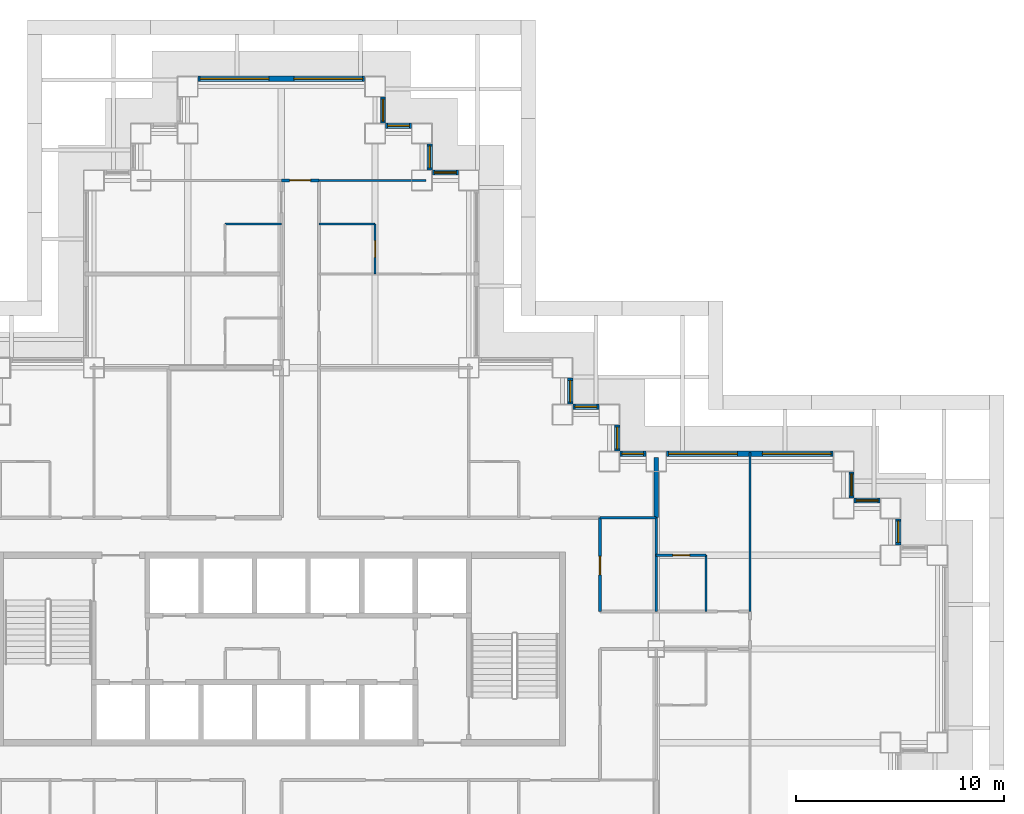
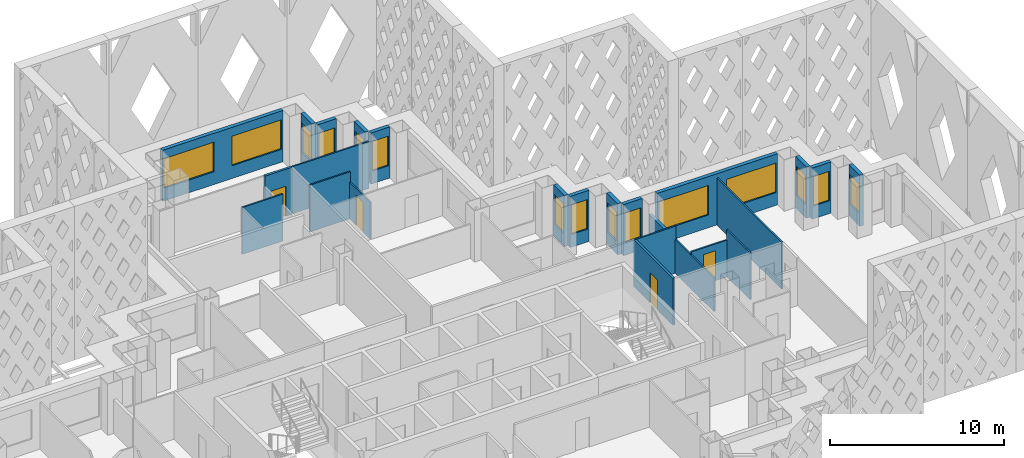
# One storey, part 9 of 19: 25 walls, 15 windows, 4 doors, 19 openings.
"""IFC4 building model written with IfcOpenShell, lengths in metres."""

from ifc_helpers import new_model, si_unit, direction, frame, frame_2d, origin, place, context, subcontext, project, spatial, rectangle, extrude, material, layer, layer_set, type_object, element, fill, save


model = new_model("IFC4")

# Units and contexts
model_context = context("Model", 3, precision=1e-05, world=origin(), true_north=direction((0.0, 1.0)))
body_context = subcontext(model_context, "Body", "Model", "MODEL_VIEW")
ifc_project = project(units=[si_unit("LENGTHUNIT", "METRE"), si_unit("AREAUNIT", "SQUARE_METRE"), si_unit("VOLUMEUNIT", "CUBIC_METRE"), si_unit("PLANEANGLEUNIT", "RADIAN"), si_unit("MASSUNIT", "GRAM", prefix="KILO")], contexts=[model_context])

# Site, building, storey
site_placement = place(None, origin())
site = spatial("IfcSite", under=ifc_project, at=site_placement, CompositionType="ELEMENT")
building_placement = place(site_placement, origin())
building = spatial("IfcBuilding", under=site, at=building_placement, Name="Caravel Reach Hotel and Residences", CompositionType="ELEMENT")
storey_placement = place(building_placement, frame((0.0, 0.0, 63.60009765625)))
storey = spatial("IfcBuildingStorey", under=building, at=storey_placement, Name="L14", CompositionType="ELEMENT", Elevation=63.60009765625)

# Wall, opening, door
ifc_material_1 = material(Name="Gypsum board on steel stud", Category="steel")
ifc_layer_1 = layer(ifc_material_1, 0.10009765625)
ifc_layer_set_1 = layer_set([ifc_layer_1], Name="Bathroom pod wall 100 mm")
wall_type_1 = type_object("IfcWallType", Name="Bathroom pod wall 100 mm", PredefinedType="PARTITIONING", material=ifc_layer_set_1)
wall_1_placement = place(storey_placement, frame((49.5, 31.5, 0.0), z_axis=(0.0, 0.0, 1.0), x_axis=(1.0, 0.0, 0.0)))
wall_1 = element("IfcWall", 1, at=wall_1_placement, inside=storey, type_object=wall_type_1, Name="L14 wall w080", PredefinedType="PARTITIONING", context=body_context, shape_type="SweptSolid", body=[
    extrude(rectangle(XDim=2.39990234375, YDim=0.10009765625, at=frame_2d((1.199951171875, 0.0))), origin(), (0.0, 0.0, 1.0), 2.579833984375),
])
opening_1_placement = place(wall_1_placement, frame((0.800048828125, 0.0, 0.0)))
opening_1 = element("IfcOpeningElement", 2, at=opening_1_placement, cuts=wall_1, Name="Opening D14-022", PredefinedType="OPENING", context=body_context, shape_type="SweptSolid", body=[
    extrude(rectangle(XDim=0.800048828125, YDim=2.10009765625, at=frame_2d((0.39990234375, 1.050048828125))), frame((0.0, 0.06005859375, 0.0), z_axis=(0.0, -1.0, 0.0), x_axis=(1.0, 0.0, 0.0)), (0.0, 0.0, 1.0), 0.1201171875),
])
ifc_material_2 = material(Name="Timber and steel door leaf", Category="steel")
door_type_1 = type_object("IfcDoorType", Name="Bathroom door 800 x 2100", OperationType="SINGLE_SWING_LEFT", PredefinedType="DOOR", material=ifc_material_2)
door_1_placement = place(opening_1_placement, origin())
door_1 = element("IfcDoor", 3, at=door_1_placement, inside=storey, type_object=door_type_1, Name="door D14-022", OperationType="SINGLE_SWING_RIGHT", OverallHeight=2.10009765625, OverallWidth=0.800048828125, PredefinedType="DOOR", context=body_context, shape_type="SweptSolid", body=[
    extrude(rectangle(XDim=0.800048828125, YDim=2.10009765625, at=frame_2d((0.39990234375, 1.050048828125))), frame((0.0, 0.02490234375, 0.0), z_axis=(0.0, -1.0, 0.0), x_axis=(1.0, 0.0, 0.0)), (0.0, 0.0, 1.0), 0.050048828125),
])
fill(opening_1, door_1)

# Walls
for number, where, z_axis, x_axis, name in (
    (4, (28.800048828125, 47.39990234375, 0.0), (0.0, 0.0, 1.0), (1.0, 0.0, 0.0), "L14 wall w084"),
    (5, (33.300048828125, 47.39990234375, 0.0), (0.0, 0.0, 1.0), (1.0, 0.0, 0.0), "L14 wall w085"),
):
    element("IfcWall", number, at=place(storey_placement, frame(where, z_axis=z_axis, x_axis=x_axis)), inside=storey, type_object=wall_type_1, Name=name, PredefinedType="PARTITIONING", context=body_context, shape_type="SweptSolid", body=[
        extrude(rectangle(XDim=2.699951171875, YDim=0.10009765625, at=frame_2d((1.35009765625, 0.0))), origin(), (0.0, 0.0, 1.0), 3.2998046875),
    ])

# Wall, opening, door
wall_2_placement = place(storey_placement, frame((36.0, 45.0, 0.0), z_axis=(0.0, 0.0, 1.0), x_axis=(0.0, 1.0, 0.0)))
wall_2 = element("IfcWall", 6, at=wall_2_placement, inside=storey, type_object=wall_type_1, Name="L14 wall w100", PredefinedType="PARTITIONING", context=body_context, shape_type="SweptSolid", body=[
    extrude(rectangle(XDim=2.39990234375, YDim=0.10009765625, at=frame_2d((1.199951171875, 0.0))), origin(), (0.0, 0.0, 1.0), 2.579833984375),
])
opening_2_placement = place(wall_2_placement, frame((0.800048828125, 0.0, 0.0)))
opening_2 = element("IfcOpeningElement", 7, at=opening_2_placement, cuts=wall_2, Name="Opening D14-029", PredefinedType="OPENING", context=body_context, shape_type="SweptSolid", body=[
    extrude(rectangle(XDim=0.800048828125, YDim=2.10009765625, at=frame_2d((0.39990234375, 1.050048828125))), frame((0.0, 0.06005859375, 0.0), z_axis=(0.0, -1.0, 0.0), x_axis=(1.0, 0.0, 0.0)), (0.0, 0.0, 1.0), 0.1201171875),
])
door_2_placement = place(opening_2_placement, origin())
door_2 = element("IfcDoor", 8, at=door_2_placement, inside=storey, type_object=door_type_1, Name="door D14-029", OperationType="SINGLE_SWING_LEFT", OverallHeight=2.10009765625, OverallWidth=0.800048828125, PredefinedType="DOOR", context=body_context, shape_type="SweptSolid", body=[
    extrude(rectangle(XDim=0.800048828125, YDim=2.10009765625, at=frame_2d((0.39990234375, 1.050048828125))), frame((0.0, 0.02490234375, 0.0), z_axis=(0.0, -1.0, 0.0), x_axis=(1.0, 0.0, 0.0)), (0.0, 0.0, 1.0), 0.050048828125),
])
fill(opening_2, door_2)

# Wall
wall_3_placement = place(storey_placement, frame((51.89990234375, 28.800048828125, 0.0), z_axis=(0.0, 0.0, 1.0), x_axis=(0.0, 1.0, 0.0)))
element("IfcWall", 9, at=wall_3_placement, inside=storey, type_object=wall_type_1, Name="L14 wall w103", PredefinedType="PARTITIONING", context=body_context, shape_type="SweptSolid", body=[
    extrude(rectangle(XDim=2.699951171875, YDim=0.10009765625, at=frame_2d((1.35009765625, 0.0))), origin(), (0.0, 0.0, 1.0), 3.2998046875),
])

# Wall, opening, door
ifc_material_3 = material(Name="Gypsum board on steel stud, fire-rated", Category="steel")
ifc_layer_2 = layer(ifc_material_3, 0.14990234375)
ifc_layer_set_2 = layer_set([ifc_layer_2], Name="Corridor wall 150 mm EI 60")
wall_type_2 = type_object("IfcWallType", Name="Corridor wall 150 mm EI 60", PredefinedType="PARTITIONING", material=ifc_layer_set_2)
wall_4_placement = place(storey_placement, frame((31.5, 49.5, 0.0), z_axis=(0.0, 0.0, 1.0), x_axis=(1.0, 0.0, 0.0)))
wall_4 = element("IfcWall", 10, at=wall_4_placement, inside=storey, type_object=wall_type_2, Name="L14 wall w020", PredefinedType="PARTITIONING", context=body_context, shape_type="SweptSolid", body=[
    extrude(rectangle(XDim=1.800048828125, YDim=0.14990234375, at=frame_2d((0.89990234375, 0.0))), origin(), (0.0, 0.0, 1.0), 3.2998046875),
])
opening_3_placement = place(wall_4_placement, frame((0.39990234375, 0.0, 0.0)))
opening_3 = element("IfcOpeningElement", 11, at=opening_3_placement, cuts=wall_4, Name="Opening D14-039", PredefinedType="OPENING", context=body_context, shape_type="SweptSolid", body=[
    extrude(rectangle(XDim=1.0, YDim=2.10009765625, at=frame_2d((0.5, 1.050048828125))), frame((0.0, 0.0849609375, 0.0), z_axis=(0.0, -1.0, 0.0), x_axis=(1.0, 0.0, 0.0)), (0.0, 0.0, 1.0), 0.169921875),
])
ifc_material_4 = material(Name="Steel fire door leaf", Category="steel")
door_type_2 = type_object("IfcDoorType", Name="Guest room door 1000 x 2100 EI 30", OperationType="SINGLE_SWING_LEFT", PredefinedType="DOOR", material=ifc_material_4)
door_3_placement = place(opening_3_placement, origin())
door_3 = element("IfcDoor", 12, at=door_3_placement, inside=storey, type_object=door_type_2, Name="door D14-039", OperationType="SINGLE_SWING_LEFT", OverallHeight=2.10009765625, OverallWidth=1.0, PredefinedType="DOOR", context=body_context, shape_type="SweptSolid", body=[
    extrude(rectangle(XDim=1.0, YDim=2.10009765625, at=frame_2d((0.5, 1.050048828125))), frame((0.0, 0.02490234375, 0.0), z_axis=(0.0, -1.0, 0.0), x_axis=(1.0, 0.0, 0.0)), (0.0, 0.0, 1.0), 0.050048828125),
])
fill(opening_3, door_3)

wall_5_placement = place(storey_placement, frame((46.800048828125, 28.800048828125, 0.0), z_axis=(0.0, 0.0, 1.0), x_axis=(0.0, 1.0, 0.0)))
wall_5 = element("IfcWall", 13, at=wall_5_placement, inside=storey, type_object=wall_type_2, Name="L14 wall w034", PredefinedType="PARTITIONING", context=body_context, shape_type="SweptSolid", body=[
    extrude(rectangle(XDim=4.5, YDim=0.14990234375, at=frame_2d((2.25, 0.0))), origin(), (0.0, 0.0, 1.0), 3.2998046875),
])
opening_4_placement = place(wall_5_placement, frame((1.75, 0.0, 0.0)))
opening_4 = element("IfcOpeningElement", 14, at=opening_4_placement, cuts=wall_5, Name="Opening D14-060", PredefinedType="OPENING", context=body_context, shape_type="SweptSolid", body=[
    extrude(rectangle(XDim=0.89990234375, YDim=2.10009765625, at=frame_2d((0.449951171875, 1.050048828125))), frame((0.0, 0.0849609375, 0.0), z_axis=(0.0, -1.0, 0.0), x_axis=(1.0, 0.0, 0.0)), (0.0, 0.0, 1.0), 0.169921875),
])
ifc_material_5 = material(Name="Timber and steel door leaf", Category="steel")
door_type_3 = type_object("IfcDoorType", Name="Door 900 x 2100 timber", OperationType="SINGLE_SWING_LEFT", PredefinedType="DOOR", material=ifc_material_5)
door_4_placement = place(opening_4_placement, origin())
door_4 = element("IfcDoor", 15, at=door_4_placement, inside=storey, type_object=door_type_3, Name="door D14-060", OperationType="SINGLE_SWING_RIGHT", OverallHeight=2.10009765625, OverallWidth=0.89990234375, PredefinedType="DOOR", context=body_context, shape_type="SweptSolid", body=[
    extrude(rectangle(XDim=0.89990234375, YDim=2.10009765625, at=frame_2d((0.449951171875, 1.050048828125))), frame((0.0, 0.02490234375, 0.0), z_axis=(0.0, -1.0, 0.0), x_axis=(1.0, 0.0, 0.0)), (0.0, 0.0, 1.0), 0.050048828125),
])
fill(opening_4, door_4)

# Wall, opening, window
ifc_material_6 = material(Name="Insulated rainscreen wall, aluminium cladding", Category="aluminium")
ifc_layer_3 = layer(ifc_material_6, 0.25)
ifc_layer_set_3 = layer_set([ifc_layer_3], Name="EW1 Tower rainscreen wall")
wall_type_3 = type_object("IfcWallType", Name="EW1 Tower rainscreen wall", PredefinedType="SOLIDWALL", material=ifc_layer_set_3)
wall_6_placement = place(storey_placement, frame((61.125, 32.0, 0.0), z_axis=(0.0, 0.0, 1.0), x_axis=(0.0, 1.0, 0.0)))
wall_6 = element("IfcWall", 16, at=wall_6_placement, inside=storey, type_object=wall_type_3, Name="External wall L14 E22.1", PredefinedType="SOLIDWALL", context=body_context, shape_type="SweptSolid", body=[
    extrude(rectangle(XDim=1.25, YDim=0.25, at=frame_2d((0.625, 0.0))), origin(), (0.0, 0.0, 1.0), 3.599853515625),
])
opening_5_placement = place(wall_6_placement, frame((0.10009765625, 0.0, 0.89990234375)))
opening_5 = element("IfcOpeningElement", 17, at=opening_5_placement, cuts=wall_6, Name="Opening WN3", PredefinedType="OPENING", context=body_context, shape_type="SweptSolid", body=[
    extrude(rectangle(XDim=1.050048828125, YDim=2.080078125, at=frame_2d((0.52490234375, 1.0400390625))), frame((0.0, 0.135009765625, 0.0), z_axis=(0.0, -1.0, 0.0), x_axis=(1.0, 0.0, 0.0)), (0.0, 0.0, 1.0), 0.27001953125),
])
ifc_material_7 = material(Name="Dark low-e glazing in black aluminium frame", Category="aluminium")
window_type_1 = type_object("IfcWindowType", Name="Hotel suite corner window 1050 x 2080", PartitioningType="SINGLE_PANEL", PredefinedType="WINDOW", material=ifc_material_7)
window_1_placement = place(opening_5_placement, origin())
window_1 = element("IfcWindow", 18, at=window_1_placement, inside=storey, type_object=window_type_1, Name="Window L14 E22.1.1", OverallHeight=2.080078125, OverallWidth=1.050048828125, PartitioningType="SINGLE_PANEL", PredefinedType="WINDOW", context=body_context, shape_type="SweptSolid", body=[
    extrude(rectangle(XDim=1.050048828125, YDim=2.080078125, at=frame_2d((0.52490234375, 1.0400390625))), frame((0.0, 0.030029296875, 0.0), z_axis=(0.0, -1.0, 0.0), x_axis=(1.0, 0.0, 0.0)), (0.0, 0.0, 1.0), 0.06005859375),
])
fill(opening_5, window_1)

wall_7_placement = place(storey_placement, frame((60.25, 34.125, 0.0), z_axis=(0.0, 0.0, 1.0), x_axis=(-1.0, 0.0, 0.0)))
wall_7 = element("IfcWall", 19, at=wall_7_placement, inside=storey, type_object=wall_type_3, Name="External wall L14 N23.1", PredefinedType="SOLIDWALL", context=body_context, shape_type="SweptSolid", body=[
    extrude(rectangle(XDim=1.25, YDim=0.25, at=frame_2d((0.625, 0.0))), origin(), (0.0, 0.0, 1.0), 3.599853515625),
])
opening_6_placement = place(wall_7_placement, frame((0.10009765625, 0.0, 0.89990234375)))
opening_6 = element("IfcOpeningElement", 20, at=opening_6_placement, cuts=wall_7, Name="Opening WN3", PredefinedType="OPENING", context=body_context, shape_type="SweptSolid", body=[
    extrude(rectangle(XDim=1.050048828125, YDim=2.080078125, at=frame_2d((0.52490234375, 1.0400390625))), frame((0.0, 0.135009765625, 0.0), z_axis=(0.0, -1.0, 0.0), x_axis=(1.0, 0.0, 0.0)), (0.0, 0.0, 1.0), 0.27001953125),
])
window_2_placement = place(opening_6_placement, origin())
window_2 = element("IfcWindow", 21, at=window_2_placement, inside=storey, type_object=window_type_1, Name="Window L14 N23.1.1", OverallHeight=2.080078125, OverallWidth=1.050048828125, PartitioningType="SINGLE_PANEL", PredefinedType="WINDOW", context=body_context, shape_type="SweptSolid", body=[
    extrude(rectangle(XDim=1.050048828125, YDim=2.080078125, at=frame_2d((0.52490234375, 1.0400390625))), frame((0.0, 0.030029296875, 0.0), z_axis=(0.0, -1.0, 0.0), x_axis=(1.0, 0.0, 0.0)), (0.0, 0.0, 1.0), 0.06005859375),
])
fill(opening_6, window_2)

wall_8_placement = place(storey_placement, frame((58.875, 34.25, 0.0), z_axis=(0.0, 0.0, 1.0), x_axis=(0.0, 1.0, 0.0)))
wall_8 = element("IfcWall", 22, at=wall_8_placement, inside=storey, type_object=wall_type_3, Name="External wall L14 E24.1", PredefinedType="SOLIDWALL", context=body_context, shape_type="SweptSolid", body=[
    extrude(rectangle(XDim=1.25, YDim=0.25, at=frame_2d((0.625, 0.0))), origin(), (0.0, 0.0, 1.0), 3.599853515625),
])
opening_7_placement = place(wall_8_placement, frame((0.10009765625, 0.0, 0.89990234375)))
opening_7 = element("IfcOpeningElement", 23, at=opening_7_placement, cuts=wall_8, Name="Opening WN3", PredefinedType="OPENING", context=body_context, shape_type="SweptSolid", body=[
    extrude(rectangle(XDim=1.050048828125, YDim=2.080078125, at=frame_2d((0.52490234375, 1.0400390625))), frame((0.0, 0.135009765625, 0.0), z_axis=(0.0, -1.0, 0.0), x_axis=(1.0, 0.0, 0.0)), (0.0, 0.0, 1.0), 0.27001953125),
])
window_3_placement = place(opening_7_placement, origin())
window_3 = element("IfcWindow", 24, at=window_3_placement, inside=storey, type_object=window_type_1, Name="Window L14 E24.1.1", OverallHeight=2.080078125, OverallWidth=1.050048828125, PartitioningType="SINGLE_PANEL", PredefinedType="WINDOW", context=body_context, shape_type="SweptSolid", body=[
    extrude(rectangle(XDim=1.050048828125, YDim=2.080078125, at=frame_2d((0.52490234375, 1.0400390625))), frame((0.0, 0.030029296875, 0.0), z_axis=(0.0, -1.0, 0.0), x_axis=(1.0, 0.0, 0.0)), (0.0, 0.0, 1.0), 0.06005859375),
])
fill(opening_7, window_3)

# Wall, openings, windows
wall_9_placement = place(storey_placement, frame((58.0, 36.375, 0.0), z_axis=(0.0, 0.0, 1.0), x_axis=(-1.0, 0.0, 0.0)))
wall_9 = element("IfcWall", 25, at=wall_9_placement, inside=storey, type_object=wall_type_3, Name="External wall L14 N25.1", PredefinedType="SOLIDWALL", context=body_context, shape_type="SweptSolid", body=[
    extrude(rectangle(XDim=8.0, YDim=0.25, at=frame_2d((4.0, 0.0))), origin(), (0.0, 0.0, 1.0), 3.599853515625),
])
opening_8_placement = place(wall_9_placement, frame((0.10009765625, 0.0, 0.89990234375)))
opening_8 = element("IfcOpeningElement", 26, at=opening_8_placement, cuts=wall_9, Name="Opening WN4", PredefinedType="OPENING", context=body_context, shape_type="SweptSolid", body=[
    extrude(rectangle(XDim=3.300048828125, YDim=2.080078125, at=frame_2d((1.64990234375, 1.0400390625))), frame((0.0, 0.135009765625, 0.0), z_axis=(0.0, -1.0, 0.0), x_axis=(1.0, 0.0, 0.0)), (0.0, 0.0, 1.0), 0.27001953125),
])
opening_9_placement = place(wall_9_placement, frame((4.60009765625, 0.0, 0.89990234375)))
opening_9 = element("IfcOpeningElement", 27, at=opening_9_placement, cuts=wall_9, Name="Opening WN4", PredefinedType="OPENING", context=body_context, shape_type="SweptSolid", body=[
    extrude(rectangle(XDim=3.300048828125, YDim=2.080078125, at=frame_2d((1.64990234375, 1.0400390625))), frame((0.0, 0.135009765625, 0.0), z_axis=(0.0, -1.0, 0.0), x_axis=(1.0, 0.0, 0.0)), (0.0, 0.0, 1.0), 0.27001953125),
])
ifc_material_8 = material(Name="Dark low-e glazing in black aluminium frame", Category="aluminium")
window_type_2 = type_object("IfcWindowType", Name="Hotel guest room window 3300 x 2080", PartitioningType="SINGLE_PANEL", PredefinedType="WINDOW", material=ifc_material_8)
window_4_placement = place(opening_8_placement, origin())
window_4 = element("IfcWindow", 28, at=window_4_placement, inside=storey, type_object=window_type_2, Name="Window L14 N25.1.1", OverallHeight=2.080078125, OverallWidth=3.300048828125, PartitioningType="SINGLE_PANEL", PredefinedType="WINDOW", context=body_context, shape_type="SweptSolid", body=[
    extrude(rectangle(XDim=3.300048828125, YDim=2.080078125, at=frame_2d((1.64990234375, 1.0400390625))), frame((0.0, 0.030029296875, 0.0), z_axis=(0.0, -1.0, 0.0), x_axis=(1.0, 0.0, 0.0)), (0.0, 0.0, 1.0), 0.06005859375),
])
fill(opening_8, window_4)
window_5_placement = place(opening_9_placement, origin())
window_5 = element("IfcWindow", 29, at=window_5_placement, inside=storey, type_object=window_type_2, Name="Window L14 N25.1.2", OverallHeight=2.080078125, OverallWidth=3.300048828125, PartitioningType="SINGLE_PANEL", PredefinedType="WINDOW", context=body_context, shape_type="SweptSolid", body=[
    extrude(rectangle(XDim=3.300048828125, YDim=2.080078125, at=frame_2d((1.64990234375, 1.0400390625))), frame((0.0, 0.030029296875, 0.0), z_axis=(0.0, -1.0, 0.0), x_axis=(1.0, 0.0, 0.0)), (0.0, 0.0, 1.0), 0.06005859375),
])
fill(opening_9, window_5)

# Wall, opening, window
wall_10_placement = place(storey_placement, frame((49.0, 36.375, 0.0), z_axis=(0.0, 0.0, 1.0), x_axis=(-1.0, 0.0, 0.0)))
wall_10 = element("IfcWall", 30, at=wall_10_placement, inside=storey, type_object=wall_type_3, Name="External wall L14 N25.2", PredefinedType="SOLIDWALL", context=body_context, shape_type="SweptSolid", body=[
    extrude(rectangle(XDim=1.25, YDim=0.25, at=frame_2d((0.625, 0.0))), origin(), (0.0, 0.0, 1.0), 3.599853515625),
])
opening_10_placement = place(wall_10_placement, frame((0.10009765625, 0.0, 0.89990234375)))
opening_10 = element("IfcOpeningElement", 31, at=opening_10_placement, cuts=wall_10, Name="Opening WN3", PredefinedType="OPENING", context=body_context, shape_type="SweptSolid", body=[
    extrude(rectangle(XDim=1.050048828125, YDim=2.080078125, at=frame_2d((0.52490234375, 1.0400390625))), frame((0.0, 0.135009765625, 0.0), z_axis=(0.0, -1.0, 0.0), x_axis=(1.0, 0.0, 0.0)), (0.0, 0.0, 1.0), 0.27001953125),
])
window_6_placement = place(opening_10_placement, origin())
window_6 = element("IfcWindow", 32, at=window_6_placement, inside=storey, type_object=window_type_1, Name="Window L14 N25.2.1", OverallHeight=2.080078125, OverallWidth=1.050048828125, PartitioningType="SINGLE_PANEL", PredefinedType="WINDOW", context=body_context, shape_type="SweptSolid", body=[
    extrude(rectangle(XDim=1.050048828125, YDim=2.080078125, at=frame_2d((0.52490234375, 1.0400390625))), frame((0.0, 0.030029296875, 0.0), z_axis=(0.0, -1.0, 0.0), x_axis=(1.0, 0.0, 0.0)), (0.0, 0.0, 1.0), 0.06005859375),
])
fill(opening_10, window_6)

wall_11_placement = place(storey_placement, frame((47.625, 36.5, 0.0), z_axis=(0.0, 0.0, 1.0), x_axis=(0.0, 1.0, 0.0)))
wall_11 = element("IfcWall", 33, at=wall_11_placement, inside=storey, type_object=wall_type_3, Name="External wall L14 E26.1", PredefinedType="SOLIDWALL", context=body_context, shape_type="SweptSolid", body=[
    extrude(rectangle(XDim=1.25, YDim=0.25, at=frame_2d((0.625, 0.0))), origin(), (0.0, 0.0, 1.0), 3.599853515625),
])
opening_11_placement = place(wall_11_placement, frame((0.10009765625, 0.0, 0.89990234375)))
opening_11 = element("IfcOpeningElement", 34, at=opening_11_placement, cuts=wall_11, Name="Opening WN3", PredefinedType="OPENING", context=body_context, shape_type="SweptSolid", body=[
    extrude(rectangle(XDim=1.050048828125, YDim=2.080078125, at=frame_2d((0.52490234375, 1.0400390625))), frame((0.0, 0.135009765625, 0.0), z_axis=(0.0, -1.0, 0.0), x_axis=(1.0, 0.0, 0.0)), (0.0, 0.0, 1.0), 0.27001953125),
])
window_7_placement = place(opening_11_placement, origin())
window_7 = element("IfcWindow", 35, at=window_7_placement, inside=storey, type_object=window_type_1, Name="Window L14 E26.1.1", OverallHeight=2.080078125, OverallWidth=1.050048828125, PartitioningType="SINGLE_PANEL", PredefinedType="WINDOW", context=body_context, shape_type="SweptSolid", body=[
    extrude(rectangle(XDim=1.050048828125, YDim=2.080078125, at=frame_2d((0.52490234375, 1.0400390625))), frame((0.0, 0.030029296875, 0.0), z_axis=(0.0, -1.0, 0.0), x_axis=(1.0, 0.0, 0.0)), (0.0, 0.0, 1.0), 0.06005859375),
])
fill(opening_11, window_7)

wall_12_placement = place(storey_placement, frame((46.75, 38.625, 0.0), z_axis=(0.0, 0.0, 1.0), x_axis=(-1.0, 0.0, 0.0)))
wall_12 = element("IfcWall", 36, at=wall_12_placement, inside=storey, type_object=wall_type_3, Name="External wall L14 N27.1", PredefinedType="SOLIDWALL", context=body_context, shape_type="SweptSolid", body=[
    extrude(rectangle(XDim=1.25, YDim=0.25, at=frame_2d((0.625, 0.0))), origin(), (0.0, 0.0, 1.0), 3.599853515625),
])
opening_12_placement = place(wall_12_placement, frame((0.10009765625, 0.0, 0.89990234375)))
opening_12 = element("IfcOpeningElement", 37, at=opening_12_placement, cuts=wall_12, Name="Opening WN3", PredefinedType="OPENING", context=body_context, shape_type="SweptSolid", body=[
    extrude(rectangle(XDim=1.050048828125, YDim=2.080078125, at=frame_2d((0.52490234375, 1.0400390625))), frame((0.0, 0.135009765625, 0.0), z_axis=(0.0, -1.0, 0.0), x_axis=(1.0, 0.0, 0.0)), (0.0, 0.0, 1.0), 0.27001953125),
])
window_8_placement = place(opening_12_placement, origin())
window_8 = element("IfcWindow", 38, at=window_8_placement, inside=storey, type_object=window_type_1, Name="Window L14 N27.1.1", OverallHeight=2.080078125, OverallWidth=1.050048828125, PartitioningType="SINGLE_PANEL", PredefinedType="WINDOW", context=body_context, shape_type="SweptSolid", body=[
    extrude(rectangle(XDim=1.050048828125, YDim=2.080078125, at=frame_2d((0.52490234375, 1.0400390625))), frame((0.0, 0.030029296875, 0.0), z_axis=(0.0, -1.0, 0.0), x_axis=(1.0, 0.0, 0.0)), (0.0, 0.0, 1.0), 0.06005859375),
])
fill(opening_12, window_8)

wall_13_placement = place(storey_placement, frame((45.375, 38.75, 0.0), z_axis=(0.0, 0.0, 1.0), x_axis=(0.0, 1.0, 0.0)))
wall_13 = element("IfcWall", 39, at=wall_13_placement, inside=storey, type_object=wall_type_3, Name="External wall L14 E28.1", PredefinedType="SOLIDWALL", context=body_context, shape_type="SweptSolid", body=[
    extrude(rectangle(XDim=1.25, YDim=0.25, at=frame_2d((0.625, 0.0))), origin(), (0.0, 0.0, 1.0), 3.599853515625),
])
opening_13_placement = place(wall_13_placement, frame((0.10009765625, 0.0, 0.89990234375)))
opening_13 = element("IfcOpeningElement", 40, at=opening_13_placement, cuts=wall_13, Name="Opening WN3", PredefinedType="OPENING", context=body_context, shape_type="SweptSolid", body=[
    extrude(rectangle(XDim=1.050048828125, YDim=2.080078125, at=frame_2d((0.52490234375, 1.0400390625))), frame((0.0, 0.135009765625, 0.0), z_axis=(0.0, -1.0, 0.0), x_axis=(1.0, 0.0, 0.0)), (0.0, 0.0, 1.0), 0.27001953125),
])
window_9_placement = place(opening_13_placement, origin())
window_9 = element("IfcWindow", 41, at=window_9_placement, inside=storey, type_object=window_type_1, Name="Window L14 E28.1.1", OverallHeight=2.080078125, OverallWidth=1.050048828125, PartitioningType="SINGLE_PANEL", PredefinedType="WINDOW", context=body_context, shape_type="SweptSolid", body=[
    extrude(rectangle(XDim=1.050048828125, YDim=2.080078125, at=frame_2d((0.52490234375, 1.0400390625))), frame((0.0, 0.030029296875, 0.0), z_axis=(0.0, -1.0, 0.0), x_axis=(1.0, 0.0, 0.0)), (0.0, 0.0, 1.0), 0.06005859375),
])
fill(opening_13, window_9)

wall_14_placement = place(storey_placement, frame((40.0, 49.875, 0.0), z_axis=(0.0, 0.0, 1.0), x_axis=(-1.0, 0.0, 0.0)))
wall_14 = element("IfcWall", 42, at=wall_14_placement, inside=storey, type_object=wall_type_3, Name="External wall L14 N31.1", PredefinedType="SOLIDWALL", context=body_context, shape_type="SweptSolid", body=[
    extrude(rectangle(XDim=1.25, YDim=0.25, at=frame_2d((0.625, 0.0))), origin(), (0.0, 0.0, 1.0), 3.599853515625),
])
opening_14_placement = place(wall_14_placement, frame((0.10009765625, 0.0, 0.89990234375)))
opening_14 = element("IfcOpeningElement", 43, at=opening_14_placement, cuts=wall_14, Name="Opening WN3", PredefinedType="OPENING", context=body_context, shape_type="SweptSolid", body=[
    extrude(rectangle(XDim=1.050048828125, YDim=2.080078125, at=frame_2d((0.52490234375, 1.0400390625))), frame((0.0, 0.135009765625, 0.0), z_axis=(0.0, -1.0, 0.0), x_axis=(1.0, 0.0, 0.0)), (0.0, 0.0, 1.0), 0.27001953125),
])
window_10_placement = place(opening_14_placement, origin())
window_10 = element("IfcWindow", 44, at=window_10_placement, inside=storey, type_object=window_type_1, Name="Window L14 N31.1.1", OverallHeight=2.080078125, OverallWidth=1.050048828125, PartitioningType="SINGLE_PANEL", PredefinedType="WINDOW", context=body_context, shape_type="SweptSolid", body=[
    extrude(rectangle(XDim=1.050048828125, YDim=2.080078125, at=frame_2d((0.52490234375, 1.0400390625))), frame((0.0, 0.030029296875, 0.0), z_axis=(0.0, -1.0, 0.0), x_axis=(1.0, 0.0, 0.0)), (0.0, 0.0, 1.0), 0.06005859375),
])
fill(opening_14, window_10)

wall_15_placement = place(storey_placement, frame((38.625, 50.0, 0.0), z_axis=(0.0, 0.0, 1.0), x_axis=(0.0, 1.0, 0.0)))
wall_15 = element("IfcWall", 45, at=wall_15_placement, inside=storey, type_object=wall_type_3, Name="External wall L14 E32.1", PredefinedType="SOLIDWALL", context=body_context, shape_type="SweptSolid", body=[
    extrude(rectangle(XDim=1.25, YDim=0.25, at=frame_2d((0.625, 0.0))), origin(), (0.0, 0.0, 1.0), 3.599853515625),
])
opening_15_placement = place(wall_15_placement, frame((0.10009765625, 0.0, 0.89990234375)))
opening_15 = element("IfcOpeningElement", 46, at=opening_15_placement, cuts=wall_15, Name="Opening WN3", PredefinedType="OPENING", context=body_context, shape_type="SweptSolid", body=[
    extrude(rectangle(XDim=1.050048828125, YDim=2.080078125, at=frame_2d((0.52490234375, 1.0400390625))), frame((0.0, 0.135009765625, 0.0), z_axis=(0.0, -1.0, 0.0), x_axis=(1.0, 0.0, 0.0)), (0.0, 0.0, 1.0), 0.27001953125),
])
window_11_placement = place(opening_15_placement, origin())
window_11 = element("IfcWindow", 47, at=window_11_placement, inside=storey, type_object=window_type_1, Name="Window L14 E32.1.1", OverallHeight=2.080078125, OverallWidth=1.050048828125, PartitioningType="SINGLE_PANEL", PredefinedType="WINDOW", context=body_context, shape_type="SweptSolid", body=[
    extrude(rectangle(XDim=1.050048828125, YDim=2.080078125, at=frame_2d((0.52490234375, 1.0400390625))), frame((0.0, 0.030029296875, 0.0), z_axis=(0.0, -1.0, 0.0), x_axis=(1.0, 0.0, 0.0)), (0.0, 0.0, 1.0), 0.06005859375),
])
fill(opening_15, window_11)

wall_16_placement = place(storey_placement, frame((37.75, 52.125, 0.0), z_axis=(0.0, 0.0, 1.0), x_axis=(-1.0, 0.0, 0.0)))
wall_16 = element("IfcWall", 48, at=wall_16_placement, inside=storey, type_object=wall_type_3, Name="External wall L14 N33.1", PredefinedType="SOLIDWALL", context=body_context, shape_type="SweptSolid", body=[
    extrude(rectangle(XDim=1.25, YDim=0.25, at=frame_2d((0.625, 0.0))), origin(), (0.0, 0.0, 1.0), 3.599853515625),
])
opening_16_placement = place(wall_16_placement, frame((0.10009765625, 0.0, 0.89990234375)))
opening_16 = element("IfcOpeningElement", 49, at=opening_16_placement, cuts=wall_16, Name="Opening WN3", PredefinedType="OPENING", context=body_context, shape_type="SweptSolid", body=[
    extrude(rectangle(XDim=1.050048828125, YDim=2.080078125, at=frame_2d((0.52490234375, 1.0400390625))), frame((0.0, 0.135009765625, 0.0), z_axis=(0.0, -1.0, 0.0), x_axis=(1.0, 0.0, 0.0)), (0.0, 0.0, 1.0), 0.27001953125),
])
window_12_placement = place(opening_16_placement, origin())
window_12 = element("IfcWindow", 50, at=window_12_placement, inside=storey, type_object=window_type_1, Name="Window L14 N33.1.1", OverallHeight=2.080078125, OverallWidth=1.050048828125, PartitioningType="SINGLE_PANEL", PredefinedType="WINDOW", context=body_context, shape_type="SweptSolid", body=[
    extrude(rectangle(XDim=1.050048828125, YDim=2.080078125, at=frame_2d((0.52490234375, 1.0400390625))), frame((0.0, 0.030029296875, 0.0), z_axis=(0.0, -1.0, 0.0), x_axis=(1.0, 0.0, 0.0)), (0.0, 0.0, 1.0), 0.06005859375),
])
fill(opening_16, window_12)

wall_17_placement = place(storey_placement, frame((36.375, 52.25, 0.0), z_axis=(0.0, 0.0, 1.0), x_axis=(0.0, 1.0, 0.0)))
wall_17 = element("IfcWall", 51, at=wall_17_placement, inside=storey, type_object=wall_type_3, Name="External wall L14 E34.1", PredefinedType="SOLIDWALL", context=body_context, shape_type="SweptSolid", body=[
    extrude(rectangle(XDim=1.25, YDim=0.25, at=frame_2d((0.625, 0.0))), origin(), (0.0, 0.0, 1.0), 3.599853515625),
])
opening_17_placement = place(wall_17_placement, frame((0.10009765625, 0.0, 0.89990234375)))
opening_17 = element("IfcOpeningElement", 52, at=opening_17_placement, cuts=wall_17, Name="Opening WN3", PredefinedType="OPENING", context=body_context, shape_type="SweptSolid", body=[
    extrude(rectangle(XDim=1.050048828125, YDim=2.080078125, at=frame_2d((0.52490234375, 1.0400390625))), frame((0.0, 0.135009765625, 0.0), z_axis=(0.0, -1.0, 0.0), x_axis=(1.0, 0.0, 0.0)), (0.0, 0.0, 1.0), 0.27001953125),
])
window_13_placement = place(opening_17_placement, origin())
window_13 = element("IfcWindow", 53, at=window_13_placement, inside=storey, type_object=window_type_1, Name="Window L14 E34.1.1", OverallHeight=2.080078125, OverallWidth=1.050048828125, PartitioningType="SINGLE_PANEL", PredefinedType="WINDOW", context=body_context, shape_type="SweptSolid", body=[
    extrude(rectangle(XDim=1.050048828125, YDim=2.080078125, at=frame_2d((0.52490234375, 1.0400390625))), frame((0.0, 0.030029296875, 0.0), z_axis=(0.0, -1.0, 0.0), x_axis=(1.0, 0.0, 0.0)), (0.0, 0.0, 1.0), 0.06005859375),
])
fill(opening_17, window_13)

# Wall, openings, windows
wall_18_placement = place(storey_placement, frame((35.5, 54.375, 0.0), z_axis=(0.0, 0.0, 1.0), x_axis=(-1.0, 0.0, 0.0)))
wall_18 = element("IfcWall", 54, at=wall_18_placement, inside=storey, type_object=wall_type_3, Name="External wall L14 N35.1", PredefinedType="SOLIDWALL", context=body_context, shape_type="SweptSolid", body=[
    extrude(rectangle(XDim=8.0, YDim=0.25, at=frame_2d((4.0, 0.0))), origin(), (0.0, 0.0, 1.0), 3.599853515625),
])
opening_18_placement = place(wall_18_placement, frame((0.10009765625, 0.0, 0.89990234375)))
opening_18 = element("IfcOpeningElement", 55, at=opening_18_placement, cuts=wall_18, Name="Opening WN4", PredefinedType="OPENING", context=body_context, shape_type="SweptSolid", body=[
    extrude(rectangle(XDim=3.300048828125, YDim=2.080078125, at=frame_2d((1.64990234375, 1.0400390625))), frame((0.0, 0.135009765625, 0.0), z_axis=(0.0, -1.0, 0.0), x_axis=(1.0, 0.0, 0.0)), (0.0, 0.0, 1.0), 0.27001953125),
])
opening_19_placement = place(wall_18_placement, frame((4.60009765625, 0.0, 0.89990234375)))
opening_19 = element("IfcOpeningElement", 56, at=opening_19_placement, cuts=wall_18, Name="Opening WN4", PredefinedType="OPENING", context=body_context, shape_type="SweptSolid", body=[
    extrude(rectangle(XDim=3.300048828125, YDim=2.080078125, at=frame_2d((1.64990234375, 1.0400390625))), frame((0.0, 0.135009765625, 0.0), z_axis=(0.0, -1.0, 0.0), x_axis=(1.0, 0.0, 0.0)), (0.0, 0.0, 1.0), 0.27001953125),
])
window_14_placement = place(opening_18_placement, origin())
window_14 = element("IfcWindow", 57, at=window_14_placement, inside=storey, type_object=window_type_2, Name="Window L14 N35.1.1", OverallHeight=2.080078125, OverallWidth=3.300048828125, PartitioningType="SINGLE_PANEL", PredefinedType="WINDOW", context=body_context, shape_type="SweptSolid", body=[
    extrude(rectangle(XDim=3.300048828125, YDim=2.080078125, at=frame_2d((1.64990234375, 1.0400390625))), frame((0.0, 0.030029296875, 0.0), z_axis=(0.0, -1.0, 0.0), x_axis=(1.0, 0.0, 0.0)), (0.0, 0.0, 1.0), 0.06005859375),
])
fill(opening_18, window_14)
window_15_placement = place(opening_19_placement, origin())
window_15 = element("IfcWindow", 58, at=window_15_placement, inside=storey, type_object=window_type_2, Name="Window L14 N35.1.2", OverallHeight=2.080078125, OverallWidth=3.300048828125, PartitioningType="SINGLE_PANEL", PredefinedType="WINDOW", context=body_context, shape_type="SweptSolid", body=[
    extrude(rectangle(XDim=3.300048828125, YDim=2.080078125, at=frame_2d((1.64990234375, 1.0400390625))), frame((0.0, 0.030029296875, 0.0), z_axis=(0.0, -1.0, 0.0), x_axis=(1.0, 0.0, 0.0)), (0.0, 0.0, 1.0), 0.06005859375),
])
fill(opening_19, window_15)

# Walls
ifc_material_9 = material(Name="Gypsum board on steel stud", Category="steel")
ifc_layer_4 = layer(ifc_material_9, 0.10009765625)
ifc_layer_set_4 = layer_set([ifc_layer_4], Name="Partition 100 mm")
wall_type_4 = type_object("IfcWallType", Name="Partition 100 mm", PredefinedType="PARTITIONING", material=ifc_layer_set_4)
wall_19_placement = place(storey_placement, frame((46.800048828125, 33.300048828125, 0.0), z_axis=(0.0, 0.0, 1.0), x_axis=(1.0, 0.0, 0.0)))
element("IfcWall", 59, at=wall_19_placement, inside=storey, type_object=wall_type_4, Name="L14 wall w044", PredefinedType="PARTITIONING", context=body_context, shape_type="SweptSolid", body=[
    extrude(rectangle(XDim=2.699951171875, YDim=0.10009765625, at=frame_2d((1.35009765625, 0.0))), origin(), (0.0, 0.0, 1.0), 3.2998046875),
])
wall_20_placement = place(storey_placement, frame((33.300048828125, 49.5, 0.0), z_axis=(0.0, 0.0, 1.0), x_axis=(1.0, 0.0, 0.0)))
element("IfcWall", 60, at=wall_20_placement, inside=storey, type_object=wall_type_4, Name="L14 wall w049", PredefinedType="PARTITIONING", context=body_context, shape_type="SweptSolid", body=[
    extrude(rectangle(XDim=5.139892578125, YDim=0.10009765625, at=frame_2d((2.56982421875, 0.0))), origin(), (0.0, 0.0, 1.0), 3.2998046875),
])
wall_21_placement = place(storey_placement, frame((49.5, 28.800048828125, 0.0), z_axis=(0.0, 0.0, 1.0), x_axis=(0.0, 1.0, 0.0)))
element("IfcWall", 61, at=wall_21_placement, inside=storey, type_object=wall_type_4, Name="L14 wall w060", PredefinedType="PARTITIONING", context=body_context, shape_type="SweptSolid", body=[
    extrude(rectangle(XDim=4.5, YDim=0.10009765625, at=frame_2d((2.25, 0.0))), origin(), (0.0, 0.0, 1.0), 2.3798828125),
])
wall_22_placement = place(storey_placement, frame((54.0, 28.800048828125, 0.0), z_axis=(0.0, 0.0, 1.0), x_axis=(0.0, 1.0, 0.0)))
element("IfcWall", 62, at=wall_22_placement, inside=storey, type_object=wall_type_4, Name="L14 wall w062", PredefinedType="PARTITIONING", context=body_context, shape_type="SweptSolid", body=[
    extrude(rectangle(XDim=7.639892578125, YDim=0.10009765625, at=frame_2d((3.81982421875, 0.0))), origin(), (0.0, 0.0, 1.0), 3.2998046875),
])
ifc_material_10 = material(Name="Autoclaved aerated block wall")
ifc_layer_5 = layer(ifc_material_10, 0.199951171875)
ifc_layer_set_5 = layer_set([ifc_layer_5], Name="Party wall 200 mm EI 60")
wall_type_5 = type_object("IfcWallType", Name="Party wall 200 mm EI 60", PredefinedType="PARTITIONING", material=ifc_layer_set_5)
wall_23_placement = place(storey_placement, frame((49.5, 33.300048828125, 0.0), z_axis=(0.0, 0.0, 1.0), x_axis=(0.0, 1.0, 0.0)))
element("IfcWall", 63, at=wall_23_placement, inside=storey, type_object=wall_type_5, Name="L14 wall w071", PredefinedType="PARTITIONING", context=body_context, shape_type="SweptSolid", body=[
    extrude(rectangle(XDim=2.889892578125, YDim=0.199951171875, at=frame_2d((1.44482421875, 0.0))), origin(), (0.0, 0.0, 1.0), 2.3798828125),
])

save(model, "model.ifc")
